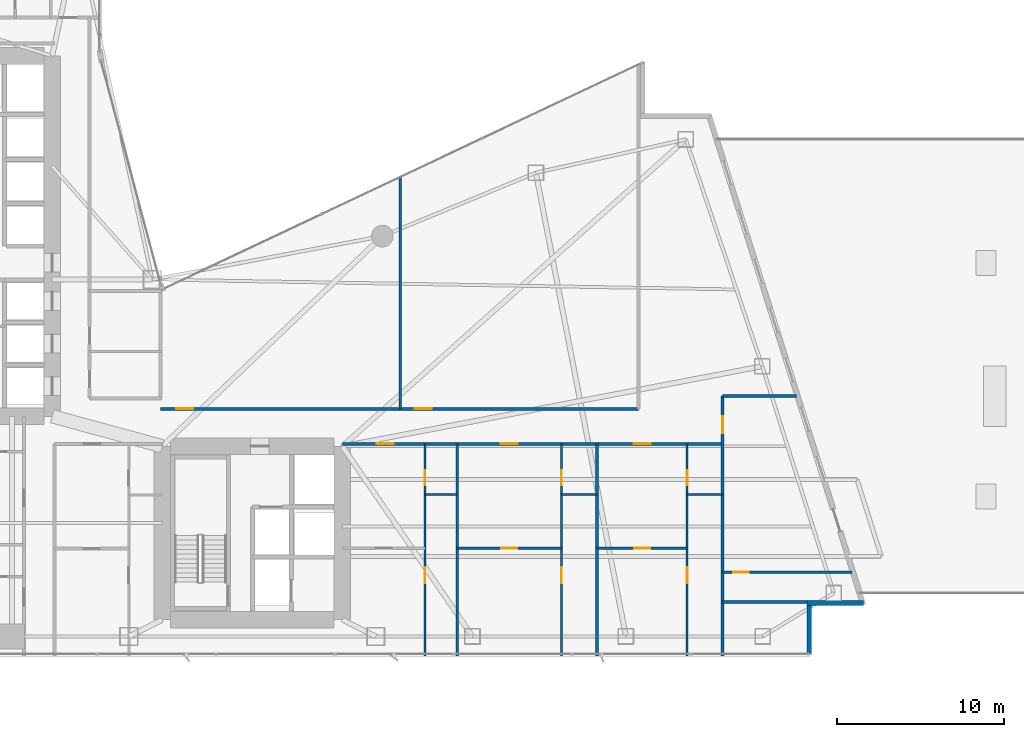
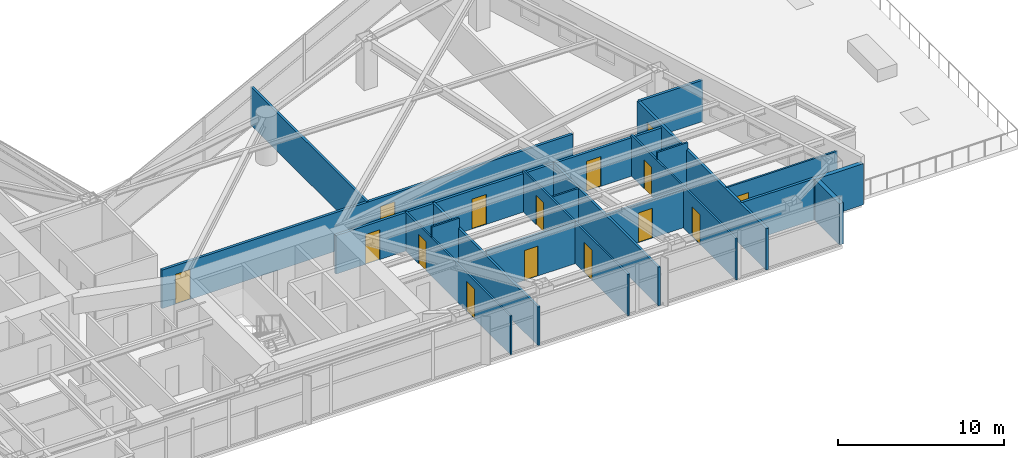
# One storey, part 24 of 30: 19 walls, 15 doors, 15 openings.
"""IFC4 building model written with IfcOpenShell, lengths in metres."""

from ifc_helpers import new_model, si_unit, direction, frame, frame_2d, origin, place, context, subcontext, project, spatial, rectangle, extrude, material, layer, layer_set, type_object, element, fill, save


model = new_model("IFC4")

# Units and contexts
model_context = context("Model", 3, precision=1e-05, world=origin(), true_north=direction((0.0, 1.0)))
body_context = subcontext(model_context, "Body", "Model", "MODEL_VIEW")
ifc_project = project(units=[si_unit("LENGTHUNIT", "METRE"), si_unit("AREAUNIT", "SQUARE_METRE"), si_unit("VOLUMEUNIT", "CUBIC_METRE"), si_unit("PLANEANGLEUNIT", "RADIAN"), si_unit("MASSUNIT", "GRAM", prefix="KILO")], contexts=[model_context])

# Site, building, storey
site_placement = place(None, origin())
site = spatial("IfcSite", under=ifc_project, at=site_placement, CompositionType="ELEMENT")
building_placement = place(site_placement, origin())
building = spatial("IfcBuilding", under=site, at=building_placement, Name="Calvorn Quay Hotel", CompositionType="ELEMENT")
storey_placement = place(building_placement, frame((0.0, 0.0, 27.0)))
storey = spatial("IfcBuildingStorey", under=building, at=storey_placement, Name="L05", CompositionType="ELEMENT", Elevation=27.0)

# Wall, openings, doors
ifc_material_1 = material(Name="Acoustic Fireboard Steel-Stud Partition", Category="steel")
ifc_layer_1 = layer(ifc_material_1, 0.179931640625)
ifc_layer_set_1 = layer_set([ifc_layer_1], Name="WL-CORR-FIRE-180")
wall_type_1 = type_object("IfcWallType", Name="WL-CORR-FIRE-180", PredefinedType="PARTITIONING", material=ifc_layer_set_1)
wall_1_placement = place(storey_placement, frame((32.39990234375, 15.14990234375, 0.0), z_axis=(0.0, 0.0, 1.0), x_axis=(1.0, 0.0, 0.0)))
wall_1 = element("IfcWall", 1, at=wall_1_placement, inside=storey, type_object=wall_type_1, Name="Partition Wall L05-WL-CORR-SE-S", PredefinedType="PARTITIONING", context=body_context, shape_type="SweptSolid", body=[
    extrude(rectangle(XDim=22.800048828125, YDim=0.179931640625, at=frame_2d((11.39990234375, 0.0))), origin(), (0.0, 0.0, 1.0), 2.840087890625),
])
opening_1_placement = place(wall_1_placement, frame((2.070068359375, 0.0, 0.0)))
opening_1 = element("IfcOpeningElement", 2, at=opening_1_placement, cuts=wall_1, Name="Opening D-L05-U05", PredefinedType="OPENING", context=body_context, shape_type="SweptSolid", body=[
    extrude(rectangle(XDim=1.02001953125, YDim=2.199951171875, at=frame_2d((0.510009765625, 1.10009765625))), frame((0.0, 0.099853515625, 0.0), z_axis=(0.0, -1.0, 0.0), x_axis=(1.0, 0.0, 0.0)), (0.0, 0.0, 1.0), 0.199951171875),
])
opening_2_placement = place(wall_1_placement, frame((9.5, 0.0, 0.0)))
opening_2 = element("IfcOpeningElement", 3, at=opening_2_placement, cuts=wall_1, Name="Opening D-L05-U06", PredefinedType="OPENING", context=body_context, shape_type="SweptSolid", body=[
    extrude(rectangle(XDim=1.02001953125, YDim=2.199951171875, at=frame_2d((0.510009765625, 1.10009765625))), frame((0.0, 0.099853515625, 0.0), z_axis=(0.0, -1.0, 0.0), x_axis=(1.0, 0.0, 0.0)), (0.0, 0.0, 1.0), 0.199951171875),
])
opening_3_placement = place(wall_1_placement, frame((17.4599609375, 0.0, 0.0)))
opening_3 = element("IfcOpeningElement", 4, at=opening_3_placement, cuts=wall_1, Name="Opening D-L05-U07", PredefinedType="OPENING", context=body_context, shape_type="SweptSolid", body=[
    extrude(rectangle(XDim=1.02001953125, YDim=2.199951171875, at=frame_2d((0.510009765625, 1.10009765625))), frame((0.0, 0.099853515625, 0.0), z_axis=(0.0, -1.0, 0.0), x_axis=(1.0, 0.0, 0.0)), (0.0, 0.0, 1.0), 0.199951171875),
])
ifc_material_2 = material(Name="Solid-Core Walnut Veneer Hotel Fire Door")
door_type_1 = type_object("IfcDoorType", Name="DR-GUEST-ENTRY-1020", OperationType="NOTDEFINED", PredefinedType="DOOR", material=ifc_material_2)
door_1_placement = place(opening_1_placement, origin())
door_1 = element("IfcDoor", 5, at=door_1_placement, inside=storey, type_object=door_type_1, Name="South-East Unit Door U05 (L05)", OperationType="SINGLE_SWING_LEFT", OverallHeight=2.199951171875, OverallWidth=1.02001953125, PredefinedType="DOOR", context=body_context, shape_type="SweptSolid", body=[
    extrude(rectangle(XDim=1.02001953125, YDim=2.199951171875, at=frame_2d((0.510009765625, 1.10009765625))), frame((0.0, 0.02490234375, 0.0), z_axis=(0.0, -1.0, 0.0), x_axis=(1.0, 0.0, 0.0)), (0.0, 0.0, 1.0), 0.050048828125),
])
fill(opening_1, door_1)
door_2_placement = place(opening_2_placement, origin())
door_2 = element("IfcDoor", 6, at=door_2_placement, inside=storey, type_object=door_type_1, Name="South-East Unit Door U06 (L05)", OperationType="SINGLE_SWING_RIGHT", OverallHeight=2.199951171875, OverallWidth=1.02001953125, PredefinedType="DOOR", context=body_context, shape_type="SweptSolid", body=[
    extrude(rectangle(XDim=1.02001953125, YDim=2.199951171875, at=frame_2d((0.510009765625, 1.10009765625))), frame((0.0, 0.02490234375, 0.0), z_axis=(0.0, -1.0, 0.0), x_axis=(1.0, 0.0, 0.0)), (0.0, 0.0, 1.0), 0.050048828125),
])
fill(opening_2, door_2)
door_3_placement = place(opening_3_placement, origin())
door_3 = element("IfcDoor", 7, at=door_3_placement, inside=storey, type_object=door_type_1, Name="South-East Unit Door U07 (L05)", OperationType="SINGLE_SWING_LEFT", OverallHeight=2.199951171875, OverallWidth=1.02001953125, PredefinedType="DOOR", context=body_context, shape_type="SweptSolid", body=[
    extrude(rectangle(XDim=1.02001953125, YDim=2.199951171875, at=frame_2d((0.510009765625, 1.10009765625))), frame((0.0, 0.02490234375, 0.0), z_axis=(0.0, -1.0, 0.0), x_axis=(1.0, 0.0, 0.0)), (0.0, 0.0, 1.0), 0.050048828125),
])
fill(opening_3, door_3)

wall_2_placement = place(storey_placement, frame((21.5, 17.25, 0.0), z_axis=(0.0, 0.0, 1.0), x_axis=(1.0, 0.0, 0.0)))
wall_2 = element("IfcWall", 8, at=wall_2_placement, inside=storey, type_object=wall_type_1, Name="Partition Wall L05-WL-CORR-NE-N", PredefinedType="PARTITIONING", context=body_context, shape_type="SweptSolid", body=[
    extrude(rectangle(XDim=28.64990234375, YDim=0.179931640625, at=frame_2d((14.324951171875, 0.0))), origin(), (0.0, 0.0, 1.0), 2.840087890625),
])
opening_4_placement = place(wall_2_placement, frame((0.949951171875, 0.0, 0.0)))
opening_4 = element("IfcOpeningElement", 9, at=opening_4_placement, cuts=wall_2, Name="Opening D-L05-NS1", PredefinedType="OPENING", context=body_context, shape_type="SweptSolid", body=[
    extrude(rectangle(XDim=1.02001953125, YDim=2.199951171875, at=frame_2d((0.510009765625, 1.10009765625))), frame((0.0, 0.099853515625, 0.0), z_axis=(0.0, -1.0, 0.0), x_axis=(1.0, 0.0, 0.0)), (0.0, 0.0, 1.0), 0.199951171875),
])
opening_5_placement = place(wall_2_placement, frame((15.22998046875, 0.0, 0.0)))
opening_5 = element("IfcOpeningElement", 10, at=opening_5_placement, cuts=wall_2, Name="Opening D-L05-NS2", PredefinedType="OPENING", context=body_context, shape_type="SweptSolid", body=[
    extrude(rectangle(XDim=1.02001953125, YDim=2.199951171875, at=frame_2d((0.510009765625, 1.10009765625))), frame((0.0, 0.099853515625, 0.0), z_axis=(0.0, -1.0, 0.0), x_axis=(1.0, 0.0, 0.0)), (0.0, 0.0, 1.0), 0.199951171875),
])
door_4_placement = place(opening_4_placement, origin())
door_4 = element("IfcDoor", 11, at=door_4_placement, inside=storey, type_object=door_type_1, Name="Conservatory Salon Door 1 (L05)", OperationType="SINGLE_SWING_RIGHT", OverallHeight=2.199951171875, OverallWidth=1.02001953125, PredefinedType="DOOR", context=body_context, shape_type="SweptSolid", body=[
    extrude(rectangle(XDim=1.02001953125, YDim=2.199951171875, at=frame_2d((0.510009765625, 1.10009765625))), frame((0.0, 0.02490234375, 0.0), z_axis=(0.0, -1.0, 0.0), x_axis=(1.0, 0.0, 0.0)), (0.0, 0.0, 1.0), 0.050048828125),
])
fill(opening_4, door_4)
door_5_placement = place(opening_5_placement, origin())
door_5 = element("IfcDoor", 12, at=door_5_placement, inside=storey, type_object=door_type_1, Name="Conservatory Salon Door 2 (L05)", OperationType="SINGLE_SWING_LEFT", OverallHeight=2.199951171875, OverallWidth=1.02001953125, PredefinedType="DOOR", context=body_context, shape_type="SweptSolid", body=[
    extrude(rectangle(XDim=1.02001953125, YDim=2.199951171875, at=frame_2d((0.510009765625, 1.10009765625))), frame((0.0, 0.02490234375, 0.0), z_axis=(0.0, -1.0, 0.0), x_axis=(1.0, 0.0, 0.0)), (0.0, 0.0, 1.0), 0.050048828125),
])
fill(opening_5, door_5)

# Walls
wall_3_placement = place(storey_placement, frame((55.199951171875, 5.659912109375, 0.0), z_axis=(0.0, 0.0, 1.0), x_axis=(1.0, 0.0, 0.0)))
element("IfcWall", 13, at=wall_3_placement, inside=storey, type_object=wall_type_1, Name="Partition Wall L05-WL-TIP-S", PredefinedType="PARTITIONING", context=body_context, shape_type="SweptSolid", body=[
    extrude(rectangle(XDim=5.199951171875, YDim=0.179931640625, at=frame_2d((2.60009765625, 0.0))), origin(), (0.0, 0.0, 1.0), 3.0400390625),
])
wall_4_placement = place(storey_placement, frame((55.199951171875, 18.0, 0.0), z_axis=(0.0, 0.0, 1.0), x_axis=(1.0, 0.0, 0.0)))
element("IfcWall", 14, at=wall_4_placement, inside=storey, type_object=wall_type_1, Name="Partition Wall L05-WL-TIP-DIV", PredefinedType="PARTITIONING", context=body_context, shape_type="SweptSolid", body=[
    extrude(rectangle(XDim=4.429931640625, YDim=0.179931640625, at=frame_2d((2.21484375, 0.0))), origin(), (0.0, 0.0, 1.0), 3.0400390625),
])

# Wall, opening, door
wall_5_placement = place(storey_placement, frame((55.199951171875, 2.43994140625, 0.0), z_axis=(0.0, 0.0, 1.0), x_axis=(0.0, 1.0, 0.0)))
wall_5 = element("IfcWall", 15, at=wall_5_placement, inside=storey, type_object=wall_type_1, Name="Partition Wall L05-WL-CORR-TIP-E1", PredefinedType="PARTITIONING", context=body_context, shape_type="SweptSolid", body=[
    extrude(rectangle(XDim=15.56005859375, YDim=0.179931640625, at=frame_2d((7.780029296875, 0.0))), origin(), (0.0, 0.0, 1.0), 3.0400390625),
])
opening_6_placement = place(wall_5_placement, frame((13.330078125, 0.0, 0.0)))
opening_6 = element("IfcOpeningElement", 16, at=opening_6_placement, cuts=wall_5, Name="Opening D-L05-U08", PredefinedType="OPENING", context=body_context, shape_type="SweptSolid", body=[
    extrude(rectangle(XDim=1.02001953125, YDim=2.199951171875, at=frame_2d((0.510009765625, 1.10009765625))), frame((0.0, 0.099853515625, 0.0), z_axis=(0.0, -1.0, 0.0), x_axis=(1.0, 0.0, 0.0)), (0.0, 0.0, 1.0), 0.199951171875),
])
door_6_placement = place(opening_6_placement, origin())
door_6 = element("IfcDoor", 17, at=door_6_placement, inside=storey, type_object=door_type_1, Name="Terrace Suite Door U08 (L05)", OperationType="SINGLE_SWING_LEFT", OverallHeight=2.199951171875, OverallWidth=1.02001953125, PredefinedType="DOOR", context=body_context, shape_type="SweptSolid", body=[
    extrude(rectangle(XDim=1.02001953125, YDim=2.199951171875, at=frame_2d((0.510009765625, 1.10009765625))), frame((0.0, 0.02490234375, 0.0), z_axis=(0.0, -1.0, 0.0), x_axis=(1.0, 0.0, 0.0)), (0.0, 0.0, 1.0), 0.050048828125),
])
fill(opening_6, door_6)

# Wall
ifc_material_3 = material(Name="Moisture-Resistant Tile-Backed Partition")
ifc_layer_2 = layer(ifc_material_3, 0.125)
ifc_layer_set_2 = layer_set([ifc_layer_2], Name="WL-ENSUITE-125")
wall_type_2 = type_object("IfcWallType", Name="WL-ENSUITE-125", PredefinedType="PARTITIONING", material=ifc_layer_set_2)
wall_6_placement = place(storey_placement, frame((37.35009765625, 12.10009765625, 0.0), z_axis=(0.0, 0.0, 1.0), x_axis=(1.0, 0.0, 0.0)))
element("IfcWall", 18, at=wall_6_placement, inside=storey, type_object=wall_type_2, Name="Partition Wall L05-WL-U05-BDV", PredefinedType="PARTITIONING", context=body_context, shape_type="SweptSolid", body=[
    extrude(rectangle(XDim=1.929931640625, YDim=0.125, at=frame_2d((0.96484375, 0.0))), origin(), (0.0, 0.0, 1.0), 3.56005859375),
])

# Wall, openings, doors
wall_7_placement = place(storey_placement, frame((37.35009765625, 2.43994140625, 0.0), z_axis=(0.0, 0.0, 1.0), x_axis=(0.0, 1.0, 0.0)))
wall_7 = element("IfcWall", 19, at=wall_7_placement, inside=storey, type_object=wall_type_2, Name="Partition Wall L05-WL-U05-BV", PredefinedType="PARTITIONING", context=body_context, shape_type="SweptSolid", body=[
    extrude(rectangle(XDim=12.7099609375, YDim=0.125, at=frame_2d((6.35498046875, 0.0))), origin(), (0.0, 0.0, 1.0), 2.840087890625),
])
opening_7_placement = place(wall_7_placement, frame((4.35009765625, 0.0, 0.0)))
opening_7 = element("IfcOpeningElement", 20, at=opening_7_placement, cuts=wall_7, Name="Opening D-L05-S05", PredefinedType="OPENING", context=body_context, shape_type="SweptSolid", body=[
    extrude(rectangle(XDim=0.9599609375, YDim=2.199951171875, at=frame_2d((0.47998046875, 1.10009765625))), frame((0.0, 0.072509765625, 0.0), z_axis=(0.0, -1.0, 0.0), x_axis=(1.0, 0.0, 0.0)), (0.0, 0.0, 1.0), 0.14501953125),
])
opening_8_placement = place(wall_7_placement, frame((10.2099609375, 0.0, 0.0)))
opening_8 = element("IfcOpeningElement", 21, at=opening_8_placement, cuts=wall_7, Name="Opening D-L05-E05", PredefinedType="OPENING", context=body_context, shape_type="SweptSolid", body=[
    extrude(rectangle(XDim=0.89990234375, YDim=2.14990234375, at=frame_2d((0.449951171875, 1.074951171875))), frame((0.0, 0.072509765625, 0.0), z_axis=(0.0, -1.0, 0.0), x_axis=(1.0, 0.0, 0.0)), (0.0, 0.0, 1.0), 0.14501953125),
])
ifc_material_4 = material(Name="Moisture-Sealed Timber En-Suite Door", Category="wood")
door_type_2 = type_object("IfcDoorType", Name="DR-ENSUITE-900", OperationType="NOTDEFINED", PredefinedType="DOOR", material=ifc_material_4)
door_7_placement = place(opening_8_placement, origin())
door_7 = element("IfcDoor", 22, at=door_7_placement, inside=storey, type_object=door_type_2, Name="En-Suite Door 05", OperationType="SINGLE_SWING_RIGHT", OverallHeight=2.14990234375, OverallWidth=0.89990234375, PredefinedType="DOOR", context=body_context, shape_type="SweptSolid", body=[
    extrude(rectangle(XDim=0.89990234375, YDim=2.14990234375, at=frame_2d((0.449951171875, 1.074951171875))), frame((0.0, 0.02490234375, 0.0), z_axis=(0.0, -1.0, 0.0), x_axis=(1.0, 0.0, 0.0)), (0.0, 0.0, 1.0), 0.050048828125),
])
fill(opening_8, door_7)
ifc_material_5 = material(Name="Solid Timber Internal Suite Door", Category="wood")
door_type_3 = type_object("IfcDoorType", Name="DR-SUITE-INT-960", OperationType="NOTDEFINED", PredefinedType="DOOR", material=ifc_material_5)
door_8_placement = place(opening_7_placement, origin())
door_8 = element("IfcDoor", 23, at=door_8_placement, inside=storey, type_object=door_type_3, Name="Executive Study Door 05", OperationType="SINGLE_SWING_LEFT", OverallHeight=2.199951171875, OverallWidth=0.9599609375, PredefinedType="DOOR", context=body_context, shape_type="SweptSolid", body=[
    extrude(rectangle(XDim=0.9599609375, YDim=2.199951171875, at=frame_2d((0.47998046875, 1.10009765625))), frame((0.0, 0.02490234375, 0.0), z_axis=(0.0, -1.0, 0.0), x_axis=(1.0, 0.0, 0.0)), (0.0, 0.0, 1.0), 0.050048828125),
])
fill(opening_7, door_8)

# Wall
wall_8_placement = place(storey_placement, frame((45.5400390625, 12.10009765625, 0.0), z_axis=(0.0, 0.0, 1.0), x_axis=(1.0, 0.0, 0.0)))
element("IfcWall", 24, at=wall_8_placement, inside=storey, type_object=wall_type_2, Name="Partition Wall L05-WL-U06-BDV", PredefinedType="PARTITIONING", context=body_context, shape_type="SweptSolid", body=[
    extrude(rectangle(XDim=2.1298828125, YDim=0.125, at=frame_2d((1.06494140625, 0.0))), origin(), (0.0, 0.0, 1.0), 2.840087890625),
])

# Wall, openings, doors
wall_9_placement = place(storey_placement, frame((45.5400390625, 2.43994140625, 0.0), z_axis=(0.0, 0.0, 1.0), x_axis=(0.0, 1.0, 0.0)))
wall_9 = element("IfcWall", 25, at=wall_9_placement, inside=storey, type_object=wall_type_2, Name="Partition Wall L05-WL-U06-BV", PredefinedType="PARTITIONING", context=body_context, shape_type="SweptSolid", body=[
    extrude(rectangle(XDim=12.7099609375, YDim=0.125, at=frame_2d((6.35498046875, 0.0))), origin(), (0.0, 0.0, 1.0), 3.0400390625),
])
opening_9_placement = place(wall_9_placement, frame((4.35009765625, 0.0, 0.0)))
opening_9 = element("IfcOpeningElement", 26, at=opening_9_placement, cuts=wall_9, Name="Opening D-L05-S06", PredefinedType="OPENING", context=body_context, shape_type="SweptSolid", body=[
    extrude(rectangle(XDim=0.9599609375, YDim=2.199951171875, at=frame_2d((0.47998046875, 1.10009765625))), frame((0.0, 0.072509765625, 0.0), z_axis=(0.0, -1.0, 0.0), x_axis=(1.0, 0.0, 0.0)), (0.0, 0.0, 1.0), 0.14501953125),
])
opening_10_placement = place(wall_9_placement, frame((10.2099609375, 0.0, 0.0)))
opening_10 = element("IfcOpeningElement", 27, at=opening_10_placement, cuts=wall_9, Name="Opening D-L05-E06", PredefinedType="OPENING", context=body_context, shape_type="SweptSolid", body=[
    extrude(rectangle(XDim=0.89990234375, YDim=2.14990234375, at=frame_2d((0.449951171875, 1.074951171875))), frame((0.0, 0.072509765625, 0.0), z_axis=(0.0, -1.0, 0.0), x_axis=(1.0, 0.0, 0.0)), (0.0, 0.0, 1.0), 0.14501953125),
])
door_9_placement = place(opening_10_placement, origin())
door_9 = element("IfcDoor", 28, at=door_9_placement, inside=storey, type_object=door_type_2, Name="En-Suite Door 06", OperationType="SINGLE_SWING_RIGHT", OverallHeight=2.14990234375, OverallWidth=0.89990234375, PredefinedType="DOOR", context=body_context, shape_type="SweptSolid", body=[
    extrude(rectangle(XDim=0.89990234375, YDim=2.14990234375, at=frame_2d((0.449951171875, 1.074951171875))), frame((0.0, 0.02490234375, 0.0), z_axis=(0.0, -1.0, 0.0), x_axis=(1.0, 0.0, 0.0)), (0.0, 0.0, 1.0), 0.050048828125),
])
fill(opening_10, door_9)
door_10_placement = place(opening_9_placement, origin())
door_10 = element("IfcDoor", 29, at=door_10_placement, inside=storey, type_object=door_type_3, Name="Executive Study Door 06", OperationType="SINGLE_SWING_LEFT", OverallHeight=2.199951171875, OverallWidth=0.9599609375, PredefinedType="DOOR", context=body_context, shape_type="SweptSolid", body=[
    extrude(rectangle(XDim=0.9599609375, YDim=2.199951171875, at=frame_2d((0.47998046875, 1.10009765625))), frame((0.0, 0.02490234375, 0.0), z_axis=(0.0, -1.0, 0.0), x_axis=(1.0, 0.0, 0.0)), (0.0, 0.0, 1.0), 0.050048828125),
])
fill(opening_9, door_10)

# Wall
wall_10_placement = place(storey_placement, frame((53.070068359375, 12.10009765625, 0.0), z_axis=(0.0, 0.0, 1.0), x_axis=(1.0, 0.0, 0.0)))
element("IfcWall", 30, at=wall_10_placement, inside=storey, type_object=wall_type_2, Name="Partition Wall L05-WL-U07-BDV", PredefinedType="PARTITIONING", context=body_context, shape_type="SweptSolid", body=[
    extrude(rectangle(XDim=2.1298828125, YDim=0.125, at=frame_2d((1.06494140625, 0.0))), origin(), (0.0, 0.0, 1.0), 3.56005859375),
])

# Wall, openings, doors
wall_11_placement = place(storey_placement, frame((53.070068359375, 2.43994140625, 0.0), z_axis=(0.0, 0.0, 1.0), x_axis=(0.0, 1.0, 0.0)))
wall_11 = element("IfcWall", 31, at=wall_11_placement, inside=storey, type_object=wall_type_2, Name="Partition Wall L05-WL-U07-BV", PredefinedType="PARTITIONING", context=body_context, shape_type="SweptSolid", body=[
    extrude(rectangle(XDim=12.7099609375, YDim=0.125, at=frame_2d((6.35498046875, 0.0))), origin(), (0.0, 0.0, 1.0), 3.0400390625),
])
opening_11_placement = place(wall_11_placement, frame((4.35009765625, 0.0, 0.0)))
opening_11 = element("IfcOpeningElement", 32, at=opening_11_placement, cuts=wall_11, Name="Opening D-L05-S07", PredefinedType="OPENING", context=body_context, shape_type="SweptSolid", body=[
    extrude(rectangle(XDim=0.9599609375, YDim=2.199951171875, at=frame_2d((0.47998046875, 1.10009765625))), frame((0.0, 0.072509765625, 0.0), z_axis=(0.0, -1.0, 0.0), x_axis=(1.0, 0.0, 0.0)), (0.0, 0.0, 1.0), 0.14501953125),
])
opening_12_placement = place(wall_11_placement, frame((10.2099609375, 0.0, 0.0)))
opening_12 = element("IfcOpeningElement", 33, at=opening_12_placement, cuts=wall_11, Name="Opening D-L05-E07", PredefinedType="OPENING", context=body_context, shape_type="SweptSolid", body=[
    extrude(rectangle(XDim=0.89990234375, YDim=2.14990234375, at=frame_2d((0.449951171875, 1.074951171875))), frame((0.0, 0.072509765625, 0.0), z_axis=(0.0, -1.0, 0.0), x_axis=(1.0, 0.0, 0.0)), (0.0, 0.0, 1.0), 0.14501953125),
])
door_11_placement = place(opening_12_placement, origin())
door_11 = element("IfcDoor", 34, at=door_11_placement, inside=storey, type_object=door_type_2, Name="En-Suite Door 07", OperationType="SINGLE_SWING_RIGHT", OverallHeight=2.14990234375, OverallWidth=0.89990234375, PredefinedType="DOOR", context=body_context, shape_type="SweptSolid", body=[
    extrude(rectangle(XDim=0.89990234375, YDim=2.14990234375, at=frame_2d((0.449951171875, 1.074951171875))), frame((0.0, 0.02490234375, 0.0), z_axis=(0.0, -1.0, 0.0), x_axis=(1.0, 0.0, 0.0)), (0.0, 0.0, 1.0), 0.050048828125),
])
fill(opening_12, door_11)
door_12_placement = place(opening_11_placement, origin())
door_12 = element("IfcDoor", 35, at=door_12_placement, inside=storey, type_object=door_type_3, Name="Executive Study Door 07", OperationType="SINGLE_SWING_LEFT", OverallHeight=2.199951171875, OverallWidth=0.9599609375, PredefinedType="DOOR", context=body_context, shape_type="SweptSolid", body=[
    extrude(rectangle(XDim=0.9599609375, YDim=2.199951171875, at=frame_2d((0.47998046875, 1.10009765625))), frame((0.0, 0.02490234375, 0.0), z_axis=(0.0, -1.0, 0.0), x_axis=(1.0, 0.0, 0.0)), (0.0, 0.0, 1.0), 0.050048828125),
])
fill(opening_11, door_12)

# Wall, opening, door
wall_12_placement = place(storey_placement, frame((55.199951171875, 7.449951171875, 0.0), z_axis=(0.0, 0.0, 1.0), x_axis=(1.0, 0.0, 0.0)))
wall_12 = element("IfcWall", 36, at=wall_12_placement, inside=storey, type_object=wall_type_2, Name="Partition Wall L05-WL-U08-BH", PredefinedType="PARTITIONING", context=body_context, shape_type="SweptSolid", body=[
    extrude(rectangle(XDim=7.760009765625, YDim=0.125, at=frame_2d((3.8798828125, 0.0))), origin(), (0.0, 0.0, 1.0), 3.0400390625),
])
opening_13_placement = place(wall_12_placement, frame((0.64990234375, 0.0, 0.0)))
opening_13 = element("IfcOpeningElement", 37, at=opening_13_placement, cuts=wall_12, Name="Opening D-L05-E08", PredefinedType="OPENING", context=body_context, shape_type="SweptSolid", body=[
    extrude(rectangle(XDim=0.89990234375, YDim=2.14990234375, at=frame_2d((0.449951171875, 1.074951171875))), frame((0.0, 0.072509765625, 0.0), z_axis=(0.0, -1.0, 0.0), x_axis=(1.0, 0.0, 0.0)), (0.0, 0.0, 1.0), 0.14501953125),
])
door_13_placement = place(opening_13_placement, origin())
door_13 = element("IfcDoor", 38, at=door_13_placement, inside=storey, type_object=door_type_2, Name="En-Suite Door 08", OperationType="SINGLE_SWING_LEFT", OverallHeight=2.14990234375, OverallWidth=0.89990234375, PredefinedType="DOOR", context=body_context, shape_type="SweptSolid", body=[
    extrude(rectangle(XDim=0.89990234375, YDim=2.14990234375, at=frame_2d((0.449951171875, 1.074951171875))), frame((0.0, 0.02490234375, 0.0), z_axis=(0.0, -1.0, 0.0), x_axis=(1.0, 0.0, 0.0)), (0.0, 0.0, 1.0), 0.050048828125),
])
fill(opening_13, door_13)

# Walls
ifc_material_6 = material(Name="Concrete C40", Category="concrete")
ifc_layer_3 = layer(ifc_material_6, 0.320068359375)
ifc_layer_set_3 = layer_set([ifc_layer_3], Name="WL-EXT-SPANDREL-320")
wall_type_3 = type_object("IfcWallType", Name="WL-EXT-SPANDREL-320", PredefinedType="SOLIDWALL", material=ifc_layer_set_3)
wall_13_placement = place(storey_placement, frame((60.39990234375, 2.52001953125, 0.0), z_axis=(0.0, 0.0, 1.0), x_axis=(0.0, 1.0, 0.0)))
element("IfcWall", 39, at=wall_13_placement, inside=storey, type_object=wall_type_3, Name="Notched Corner Spandrel L05-SE1", PredefinedType="SOLIDWALL", context=body_context, shape_type="SweptSolid", body=[
    extrude(rectangle(XDim=2.93994140625, YDim=0.280029296875, at=frame_2d((1.469970703125, 0.0))), origin(), (0.0, 0.0, 1.0), 3.0400390625),
])
wall_14_placement = place(storey_placement, frame((60.260009765625, 5.60009765625, 0.0), z_axis=(0.0, 0.0, 1.0), x_axis=(1.0, 0.0, 0.0)))
element("IfcWall", 40, at=wall_14_placement, inside=storey, type_object=wall_type_3, Name="Notched Corner Spandrel L05-SE2", PredefinedType="SOLIDWALL", context=body_context, shape_type="SweptSolid", body=[
    extrude(rectangle(XDim=3.3798828125, YDim=0.280029296875, at=frame_2d((1.68994140625, 0.0))), origin(), (0.0, 0.0, 1.0), 3.0400390625),
])

# Wall, opening, door
ifc_material_7 = material(Name="Double-Stud Acoustic Gypsum Partition")
ifc_layer_4 = layer(ifc_material_7, 0.159912109375)
ifc_layer_set_4 = layer_set([ifc_layer_4], Name="WL-INTERSUITE-160")
wall_type_4 = type_object("IfcWallType", Name="WL-INTERSUITE-160", PredefinedType="PARTITIONING", material=ifc_layer_set_4)
wall_15_placement = place(storey_placement, frame((39.280029296875, 8.8798828125, 0.0), z_axis=(0.0, 0.0, 1.0), x_axis=(1.0, 0.0, 0.0)))
wall_15 = element("IfcWall", 41, at=wall_15_placement, inside=storey, type_object=wall_type_4, Name="Partition Wall L05-WL-U06-MSP", PredefinedType="PARTITIONING", context=body_context, shape_type="SweptSolid", body=[
    extrude(rectangle(XDim=6.260009765625, YDim=0.159912109375, at=frame_2d((3.1298828125, 0.0))), origin(), (0.0, 0.0, 1.0), 3.090087890625),
])
opening_14_placement = place(wall_15_placement, frame((2.64990234375, 0.0, 0.0)))
opening_14 = element("IfcOpeningElement", 42, at=opening_14_placement, cuts=wall_15, Name="Opening D-L05-M06", PredefinedType="OPENING", context=body_context, shape_type="SweptSolid", body=[
    extrude(rectangle(XDim=0.9599609375, YDim=2.199951171875, at=frame_2d((0.47998046875, 1.10009765625))), frame((0.0, 0.08984375, 0.0), z_axis=(0.0, -1.0, 0.0), x_axis=(1.0, 0.0, 0.0)), (0.0, 0.0, 1.0), 0.179931640625),
])
door_14_placement = place(opening_14_placement, origin())
door_14 = element("IfcDoor", 43, at=door_14_placement, inside=storey, type_object=door_type_3, Name="Suite Bedroom Door 06", OperationType="SINGLE_SWING_LEFT", OverallHeight=2.199951171875, OverallWidth=0.9599609375, PredefinedType="DOOR", context=body_context, shape_type="SweptSolid", body=[
    extrude(rectangle(XDim=0.9599609375, YDim=2.199951171875, at=frame_2d((0.47998046875, 1.10009765625))), frame((0.0, 0.02490234375, 0.0), z_axis=(0.0, -1.0, 0.0), x_axis=(1.0, 0.0, 0.0)), (0.0, 0.0, 1.0), 0.050048828125),
])
fill(opening_14, door_14)

# Wall
wall_16_placement = place(storey_placement, frame((39.280029296875, 2.43994140625, 0.0), z_axis=(0.0, 0.0, 1.0), x_axis=(0.0, 1.0, 0.0)))
element("IfcWall", 44, at=wall_16_placement, inside=storey, type_object=wall_type_4, Name="Partition Wall L05-WL-SE-DIV-1", PredefinedType="PARTITIONING", context=body_context, shape_type="SweptSolid", body=[
    extrude(rectangle(XDim=12.7099609375, YDim=0.159912109375, at=frame_2d((6.35498046875, 0.0))), origin(), (0.0, 0.0, 1.0), 2.840087890625),
])

# Wall, opening, door
wall_17_placement = place(storey_placement, frame((47.669921875, 8.8798828125, 0.0), z_axis=(0.0, 0.0, 1.0), x_axis=(1.0, 0.0, 0.0)))
wall_17 = element("IfcWall", 45, at=wall_17_placement, inside=storey, type_object=wall_type_4, Name="Partition Wall L05-WL-U07-MSP", PredefinedType="PARTITIONING", context=body_context, shape_type="SweptSolid", body=[
    extrude(rectangle(XDim=5.400146484375, YDim=0.159912109375, at=frame_2d((2.7001953125, 0.0))), origin(), (0.0, 0.0, 1.0), 2.840087890625),
])
opening_15_placement = place(wall_17_placement, frame((2.219970703125, 0.0, 0.0)))
opening_15 = element("IfcOpeningElement", 46, at=opening_15_placement, cuts=wall_17, Name="Opening D-L05-M07", PredefinedType="OPENING", context=body_context, shape_type="SweptSolid", body=[
    extrude(rectangle(XDim=0.9599609375, YDim=2.199951171875, at=frame_2d((0.47998046875, 1.10009765625))), frame((0.0, 0.08984375, 0.0), z_axis=(0.0, -1.0, 0.0), x_axis=(1.0, 0.0, 0.0)), (0.0, 0.0, 1.0), 0.179931640625),
])
door_15_placement = place(opening_15_placement, origin())
door_15 = element("IfcDoor", 47, at=door_15_placement, inside=storey, type_object=door_type_3, Name="Suite Bedroom Door 07", OperationType="SINGLE_SWING_LEFT", OverallHeight=2.199951171875, OverallWidth=0.9599609375, PredefinedType="DOOR", context=body_context, shape_type="SweptSolid", body=[
    extrude(rectangle(XDim=0.9599609375, YDim=2.199951171875, at=frame_2d((0.47998046875, 1.10009765625))), frame((0.0, 0.02490234375, 0.0), z_axis=(0.0, -1.0, 0.0), x_axis=(1.0, 0.0, 0.0)), (0.0, 0.0, 1.0), 0.050048828125),
])
fill(opening_15, door_15)

# Walls
wall_18_placement = place(storey_placement, frame((47.669921875, 2.43994140625, 0.0), z_axis=(0.0, 0.0, 1.0), x_axis=(0.0, 1.0, 0.0)))
element("IfcWall", 48, at=wall_18_placement, inside=storey, type_object=wall_type_4, Name="Partition Wall L05-WL-SE-DIV-2", PredefinedType="PARTITIONING", context=body_context, shape_type="SweptSolid", body=[
    extrude(rectangle(XDim=12.7099609375, YDim=0.159912109375, at=frame_2d((6.35498046875, 0.0))), origin(), (0.0, 0.0, 1.0), 2.840087890625),
])
wall_19_placement = place(storey_placement, frame((35.8798828125, 17.25, 0.0), z_axis=(0.0, 0.0, 1.0), x_axis=(0.0, 1.0, 0.0)))
element("IfcWall", 49, at=wall_19_placement, inside=storey, type_object=wall_type_4, Name="Partition Wall L05-WL-NE-DIV-1", PredefinedType="PARTITIONING", context=body_context, shape_type="SweptSolid", body=[
    extrude(rectangle(XDim=13.969970703125, YDim=0.159912109375, at=frame_2d((6.98486328125, 0.0))), origin(), (0.0, 0.0, 1.0), 2.840087890625),
])

save(model, "model.ifc")
